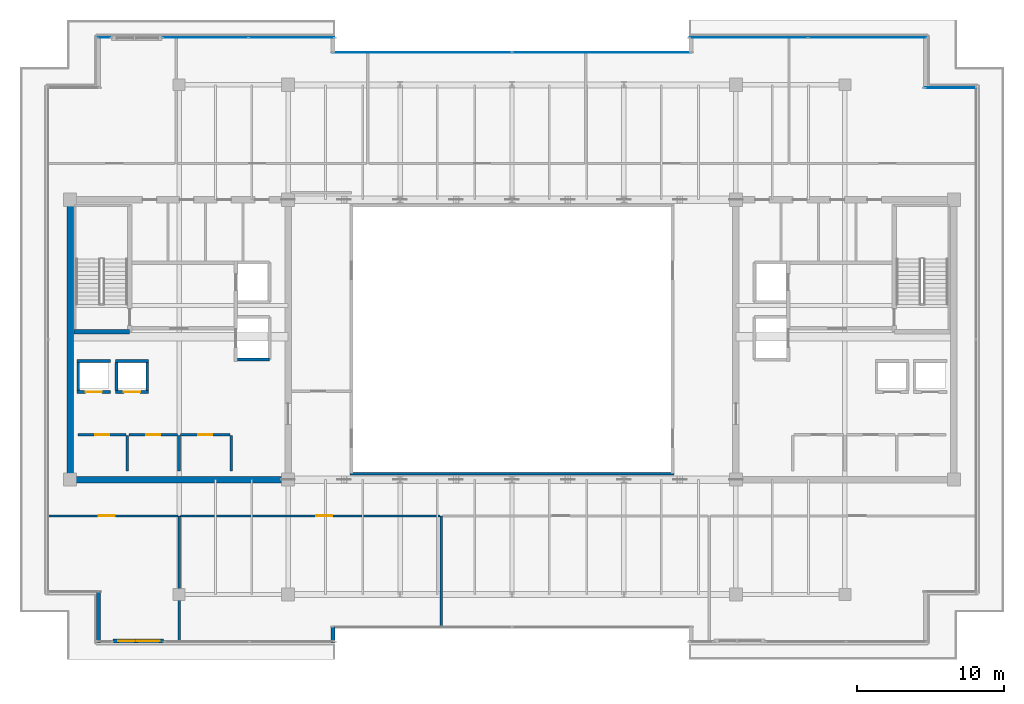
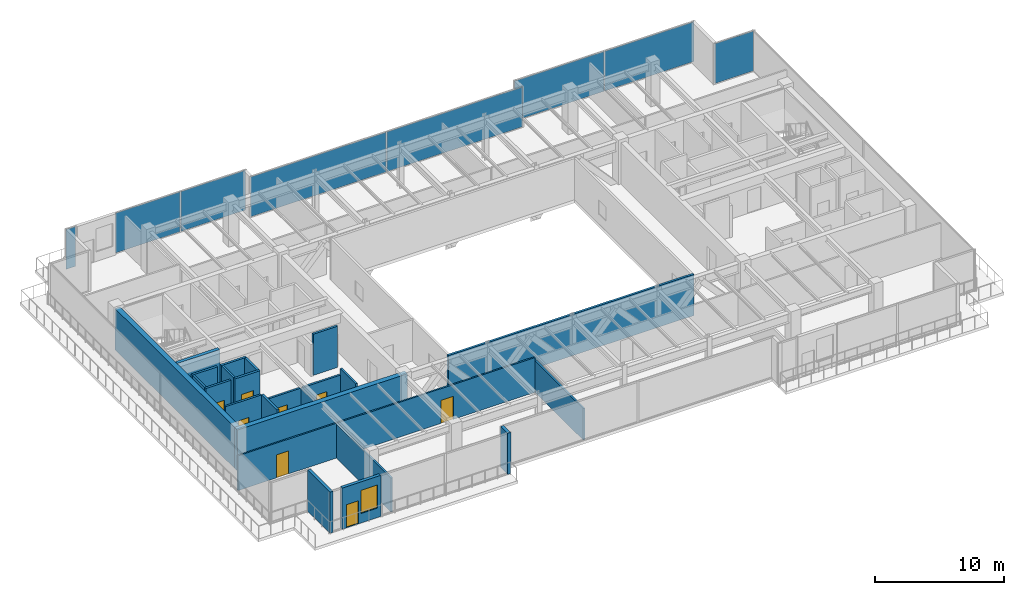
# One storey, part 26 of 34: 25 walls, 8 doors, 8 plates, 1 window, 9 openings, 5 elements without a shape of their own.
"""IFC4 building model written with IfcOpenShell, lengths in metres."""

from ifc_helpers import new_model, si_unit, direction, frame, frame_2d, origin, origin_2d, place, context, subcontext, project, spatial, rectangle, extrude, source, transform, mapped, material, layer, layer_set, type_object, type_shapes, element, fill, aggregate, save


model = new_model("IFC4")

# Units and contexts
model_context = context("Model", 3, precision=1e-05, world=origin(), true_north=direction((0.0, 1.0)))
body_context = subcontext(model_context, "Body", "Model", "MODEL_VIEW")
ifc_project = project(units=[si_unit("LENGTHUNIT", "METRE"), si_unit("AREAUNIT", "SQUARE_METRE"), si_unit("VOLUMEUNIT", "CUBIC_METRE"), si_unit("PLANEANGLEUNIT", "RADIAN"), si_unit("MASSUNIT", "GRAM", prefix="KILO")], contexts=[model_context])

# Site, building, storey
site_placement = place(None, origin())
site = spatial("IfcSite", under=ifc_project, at=site_placement, CompositionType="ELEMENT")
building_placement = place(site_placement, origin())
building = spatial("IfcBuilding", under=site, at=building_placement, Name="Haelvirn Gate Laboratories", CompositionType="ELEMENT")
storey_placement = place(building_placement, frame((0.0, 0.0, 297.60009765625)))
storey = spatial("IfcBuildingStorey", under=building, at=storey_placement, Name="L71", CompositionType="ELEMENT", Elevation=297.60009765625)

# Curtain wall, plates
ifc_material_1 = material(Name="Anodised bronze unitised aluminium & triple low-E glass", Category="aluminium")
ifc_layer_1 = layer(ifc_material_1, 0.176025390625, Name="CW-SYS-4")
ifc_layer_set_1 = layer_set([ifc_layer_1], Name="Anodised bronze unitised aluminium & triple low-E glass")
curtain_wall_type_1 = type_object("IfcCurtainWallType", Name="CW-SYS-4", PredefinedType="NOTDEFINED", material=ifc_layer_set_1)
curtain_wall_1_placement = place(storey_placement, origin())
curtain_wall_1 = element("IfcCurtainWall", 1, at=curtain_wall_1_placement, inside=storey, type_object=curtain_wall_type_1, Name="L71 Unitised Curtain Wall CW-L71-P0-E12-1", PredefinedType="NOTDEFINED")
ifc_material_2 = material(Name="Acoustic laminated bronze triple IGU 36 mm", Category="glass")
ifc_layer_2 = layer(ifc_material_2, 0.035888671875, Name="CWP-IGU-36")
ifc_layer_set_2 = layer_set([ifc_layer_2], Name="Acoustic laminated bronze triple IGU 36 mm")
plate_type_1 = type_object("IfcPlateType", Name="CWP-IGU-36", PredefinedType="CURTAIN_PANEL", material=ifc_layer_set_2)
shared_shape_1 = source(origin(), body_context, "Body", "SweptSolid", [
    extrude(rectangle(XDim=12.135009765625, YDim=0.035888671875, at=origin_2d()), origin(), (0.0, 0.0, 1.0), 3.77001953125),
])
plate_1_placement = place(storey_placement, frame((31.297607421875, 43.800048828125, 0.06494140625), z_axis=(0.0, 0.0, 1.0), x_axis=(1.0, 0.0, 0.0)))
plate_1 = element("IfcPlate", 2, at=plate_1_placement, type_object=plate_type_1, Name="CW4 panel 1.1", PredefinedType="CURTAIN_PANEL", context=body_context, shape_type="MappedRepresentation", body=[
    mapped(shared_shape_1, transform((0.0, 0.0, 0.0), scale=1.0)),
])
plate_2_placement = place(storey_placement, frame((43.50244140625, 43.800048828125, 0.06494140625), z_axis=(0.0, 0.0, 1.0), x_axis=(1.0, 0.0, 0.0)))
plate_2 = element("IfcPlate", 3, at=plate_2_placement, type_object=plate_type_1, Name="CW4 panel 2.1", PredefinedType="CURTAIN_PANEL", context=body_context, shape_type="MappedRepresentation", body=[
    mapped(shared_shape_1, transform((0.0, 0.0, 0.0), scale=1.0)),
])
aggregate(curtain_wall_1, [plate_1, plate_2])

# Curtain wall, plate
ifc_layer_3 = layer(ifc_material_1, 0.181884765625, Name="CW-SYS-5")
ifc_layer_set_3 = layer_set([ifc_layer_3], Name="Anodised bronze unitised aluminium & triple low-E glass")
curtain_wall_type_2 = type_object("IfcCurtainWallType", Name="CW-SYS-5", PredefinedType="NOTDEFINED", material=ifc_layer_set_3)
curtain_wall_2_placement = place(storey_placement, origin())
curtain_wall_2 = element("IfcCurtainWall", 4, at=curtain_wall_2_placement, inside=storey, type_object=curtain_wall_type_2, Name="L71 Unitised Curtain Wall CW-L71-P0-E08-1", PredefinedType="NOTDEFINED")
ifc_material_3 = material(Name="Clear low-iron notched-corner triple IGU 42 mm", Category="glass")
ifc_layer_4 = layer(ifc_material_3, 0.0419921875, Name="CWP-NTC-42")
ifc_layer_set_4 = layer_set([ifc_layer_4], Name="Clear low-iron notched-corner triple IGU 42 mm")
plate_type_2 = type_object("IfcPlateType", Name="CWP-NTC-42", PredefinedType="CURTAIN_PANEL", material=ifc_layer_set_4)
shared_shape_2 = source(origin(), body_context, "Body", "SweptSolid", [
    extrude(rectangle(XDim=3.47998046875, YDim=0.0419921875, at=origin_2d()), origin(), (0.0, 0.0, 1.0), 3.77001953125),
])
type_shapes(plate_type_2, [shared_shape_2])
plate_3_placement = place(storey_placement, frame((67.179931640625, 41.39990234375, 0.06494140625), z_axis=(0.0, 0.0, 1.0), x_axis=(1.0, 0.0, 0.0)))
plate_3 = element("IfcPlate", 5, at=plate_3_placement, type_object=plate_type_2, Name="CW5 panel 1.1", PredefinedType="CURTAIN_PANEL", context=body_context, shape_type="MappedRepresentation", body=[
    mapped(shared_shape_2, transform((0.0, 0.0, 0.0), scale=1.0)),
])
aggregate(curtain_wall_2, [plate_3])

# Curtain wall, plates
curtain_wall_3_placement = place(storey_placement, origin())
curtain_wall_3 = element("IfcCurtainWall", 6, at=curtain_wall_3_placement, inside=storey, type_object=curtain_wall_type_1, Name="L71 Unitised Curtain Wall CW-L71-P0-E10-1", PredefinedType="NOTDEFINED")
shared_shape_3 = source(origin(), body_context, "Body", "SweptSolid", [
    extrude(rectangle(XDim=7.9951171875, YDim=0.035888671875, at=origin_2d()), origin(), (0.0, 0.0, 1.0), 3.77001953125),
])
plate_4_placement = place(storey_placement, frame((53.467529296875, 44.800048828125, 0.06494140625), z_axis=(0.0, 0.0, 1.0), x_axis=(1.0, 0.0, 0.0)))
plate_4 = element("IfcPlate", 7, at=plate_4_placement, type_object=plate_type_1, Name="CW4 panel 1.1", PredefinedType="CURTAIN_PANEL", context=body_context, shape_type="MappedRepresentation", body=[
    mapped(shared_shape_3, transform((0.0, 0.0, 0.0), scale=1.0)),
])
plate_5_placement = place(storey_placement, frame((61.532470703125, 44.800048828125, 0.06494140625), z_axis=(0.0, 0.0, 1.0), x_axis=(1.0, 0.0, 0.0)))
plate_5 = element("IfcPlate", 8, at=plate_5_placement, type_object=plate_type_1, Name="CW4 panel 2.1", PredefinedType="CURTAIN_PANEL", context=body_context, shape_type="MappedRepresentation", body=[
    mapped(shared_shape_3, transform((0.0, 0.0, 0.0), scale=1.0)),
])
aggregate(curtain_wall_3, [plate_4, plate_5])

# Curtain wall, plate
curtain_wall_4_placement = place(storey_placement, origin())
curtain_wall_4 = element("IfcCurtainWall", 9, at=curtain_wall_4_placement, inside=storey, type_object=curtain_wall_type_1, Name="L71 Unitised Curtain Wall CW-L71-P0-E14-1", PredefinedType="NOTDEFINED")
shared_shape_4 = source(origin(), body_context, "Body", "SweptSolid", [
    extrude(rectangle(XDim=0.864990234375, YDim=0.035888671875, at=origin_2d()), origin(), (0.0, 0.0, 1.0), 3.77001953125),
])
plate_6_placement = place(storey_placement, frame((9.702392578125, 44.800048828125, 0.06494140625), z_axis=(0.0, 0.0, 1.0), x_axis=(1.0, 0.0, 0.0)))
plate_6 = element("IfcPlate", 10, at=plate_6_placement, type_object=plate_type_1, Name="CW4 panel 1.1", PredefinedType="CURTAIN_PANEL", context=body_context, shape_type="MappedRepresentation", body=[
    mapped(shared_shape_4, transform((0.0, 0.0, 0.0), scale=1.0)),
])
aggregate(curtain_wall_4, [plate_6])

# Curtain wall, plates
curtain_wall_5_placement = place(storey_placement, origin())
curtain_wall_5 = element("IfcCurtainWall", 11, at=curtain_wall_5_placement, inside=storey, type_object=curtain_wall_type_1, Name="L71 Unitised Curtain Wall CW-L71-P0-E14-2", PredefinedType="NOTDEFINED")
shared_shape_5 = source(origin(), body_context, "Body", "SweptSolid", [
    extrude(rectangle(XDim=5.7724609375, YDim=0.035888671875, at=origin_2d()), origin(), (0.0, 0.0, 1.0), 3.77001953125),
])
type_shapes(plate_type_1, [shared_shape_1, shared_shape_3, shared_shape_4, shared_shape_5])
plate_7_placement = place(storey_placement, frame((16.601318359375, 44.800048828125, 0.06494140625), z_axis=(0.0, 0.0, 1.0), x_axis=(1.0, 0.0, 0.0)))
plate_7 = element("IfcPlate", 12, at=plate_7_placement, type_object=plate_type_1, Name="CW4 panel 1.1", PredefinedType="CURTAIN_PANEL", context=body_context, shape_type="MappedRepresentation", body=[
    mapped(shared_shape_5, transform((0.0, 0.0, 0.0), scale=1.0)),
])
plate_8_placement = place(storey_placement, frame((22.44384765625, 44.800048828125, 0.06494140625), z_axis=(0.0, 0.0, 1.0), x_axis=(1.0, 0.0, 0.0)))
plate_8 = element("IfcPlate", 13, at=plate_8_placement, type_object=plate_type_1, Name="CW4 panel 2.1", PredefinedType="CURTAIN_PANEL", context=body_context, shape_type="MappedRepresentation", body=[
    mapped(shared_shape_5, transform((0.0, 0.0, 0.0), scale=1.0)),
])
aggregate(curtain_wall_5, [plate_7, plate_8])

# Wall, openings, door, window
ifc_material_4 = material(Name="Thermally-broken bronze aluminium rainscreen & mineral wool", Category="aluminium")
ifc_layer_5 = layer(ifc_material_4, 0.280029296875, Name="EW-TERR-280")
ifc_layer_set_5 = layer_set([ifc_layer_5], Name="Thermally-broken bronze aluminium rainscreen & mineral wool")
wall_type_1 = type_object("IfcWallType", Name="EW-TERR-280", PredefinedType="STANDARD", material=ifc_layer_set_5)
wall_1_placement = place(storey_placement, frame((10.297119140625, 3.840087890625, 0.0), z_axis=(0.0, 0.0, 1.0), x_axis=(1.0, 0.0, 0.0)))
wall_1 = element("IfcWall", 14, at=wall_1_placement, inside=storey, type_object=wall_type_1, Name="L71 Terrace Access Wall SETB-S", PredefinedType="STANDARD", context=body_context, shape_type="SweptSolid", body=[
    extrude(rectangle(XDim=3.455810546875, YDim=0.280029296875, at=frame_2d((1.72802734375, 0.0))), origin(), (0.0, 0.0, 1.0), 3.89990234375),
])
opening_1_placement = place(wall_1_placement, frame((0.3779296875, 0.0, 0.0)))
opening_1 = element("IfcOpeningElement", 15, at=opening_1_placement, cuts=wall_1, Name="Opening TD1", PredefinedType="OPENING", context=body_context, shape_type="SweptSolid", body=[
    extrude(rectangle(XDim=1.10009765625, YDim=2.199951171875, at=frame_2d((0.550048828125, 1.10009765625))), frame((0.0, 0.14990234375, 0.0), z_axis=(0.0, -1.0, 0.0), x_axis=(1.0, 0.0, 0.0)), (0.0, 0.0, 1.0), 0.300048828125),
])
opening_2_placement = place(wall_1_placement, frame((1.677978515625, 0.0, 0.89990234375)))
opening_2 = element("IfcOpeningElement", 16, at=opening_2_placement, cuts=wall_1, Name="Opening W3", PredefinedType="OPENING", context=body_context, shape_type="SweptSolid", body=[
    extrude(rectangle(XDim=1.5, YDim=2.199951171875, at=frame_2d((0.75, 1.10009765625))), frame((0.0, 0.14990234375, 0.0), z_axis=(0.0, -1.0, 0.0), x_axis=(1.0, 0.0, 0.0)), (0.0, 0.0, 1.0), 0.300048828125),
])
ifc_material_5 = material(Name="Thermally-broken bronze aluminium glazed terrace door", Category="aluminium")
door_type_1 = type_object("IfcDoorType", Name="DR-TERR-1100", OperationType="NOTDEFINED", PredefinedType="DOOR", material=ifc_material_5)
shared_shape_6 = source(origin(), body_context, "Body", "SweptSolid", [
    extrude(rectangle(XDim=1.10009765625, YDim=2.199951171875, at=frame_2d((0.550048828125, 1.10009765625))), frame((0.0, 0.02490234375, 0.0), z_axis=(0.0, -1.0, 0.0), x_axis=(1.0, 0.0, 0.0)), (0.0, 0.0, 1.0), 0.050048828125),
])
type_shapes(door_type_1, [shared_shape_6])
door_1_placement = place(opening_1_placement, origin())
door_1 = element("IfcDoor", 17, at=door_1_placement, inside=storey, type_object=door_type_1, Name="L71 Terrace Access Door SETB-S", OperationType="SINGLE_SWING_LEFT", OverallHeight=2.199951171875, OverallWidth=1.10009765625, PredefinedType="DOOR", context=body_context, shape_type="MappedRepresentation", body=[
    mapped(shared_shape_6, transform((0.0, 0.0, 0.0), scale=1.0)),
])
fill(opening_1, door_1)
ifc_material_6 = material(Name="Bronze anodised aluminium & triple low-E glass", Category="aluminium")
window_type = type_object("IfcWindowType", Name="WIN-TERR-1600", PartitioningType="SINGLE_PANEL", PredefinedType="WINDOW", material=ifc_material_6)
shared_shape_7 = source(origin(), body_context, "Body", "SweptSolid", [
    extrude(rectangle(XDim=1.5, YDim=2.199951171875, at=frame_2d((0.75, 1.10009765625))), frame((0.0, 0.030029296875, 0.0), z_axis=(0.0, -1.0, 0.0), x_axis=(1.0, 0.0, 0.0)), (0.0, 0.0, 1.0), 0.06005859375),
])
type_shapes(window_type, [shared_shape_7])
window_placement = place(opening_2_placement, origin())
window = element("IfcWindow", 18, at=window_placement, inside=storey, type_object=window_type, Name="L71 Terrace Vision Window SETB-S", OverallHeight=2.199951171875, OverallWidth=1.5, PartitioningType="SINGLE_PANEL", PredefinedType="WINDOW", context=body_context, shape_type="MappedRepresentation", body=[
    mapped(shared_shape_7, transform((0.0, 0.0, 0.0), scale=1.0)),
])
fill(opening_2, window)

# Walls
wall_2_placement = place(storey_placement, frame((25.260009765625, 3.699951171875, 0.0), z_axis=(0.0, 0.0, 1.0), x_axis=(0.0, 1.0, 0.0)))
element("IfcWall", 19, at=wall_2_placement, inside=storey, type_object=wall_type_1, Name="L71 Atrium Recess Bronze Return Wall 01", PredefinedType="STANDARD", context=body_context, shape_type="SweptSolid", body=[
    extrude(rectangle(XDim=1.093017578125, YDim=0.280029296875, at=frame_2d((0.54638671875, 0.0))), origin(), (0.0, 0.0, 1.0), 3.89990234375),
])
wall_3_placement = place(storey_placement, frame((9.340087890625, 7.18798828125, 0.0), z_axis=(0.0, 0.0, 1.0), x_axis=(0.0, -1.0, 0.0)))
element("IfcWall", 20, at=wall_3_placement, inside=storey, type_object=wall_type_1, Name="L71 Atrium Recess Bronze Return Wall 19", PredefinedType="STANDARD", context=body_context, shape_type="SweptSolid", body=[
    extrude(rectangle(XDim=3.488037109375, YDim=0.280029296875, at=frame_2d((1.744140625, 0.0))), origin(), (0.0, 0.0, 1.0), 3.89990234375),
])
ifc_material_7 = material(Name="Double-layer acoustic gypsum laboratory partition", Category="gypsum")
ifc_layer_6 = layer(ifc_material_7, 0.159912109375, Name="IW-ACOUST-160")
ifc_layer_set_6 = layer_set([ifc_layer_6], Name="Double-layer acoustic gypsum laboratory partition")
wall_type_2 = type_object("IfcWallType", Name="IW-ACOUST-160", PredefinedType="PARTITIONING", material=ifc_layer_set_6)
wall_4_placement = place(storey_placement, frame((14.800048828125, 3.81005859375, 0.0), z_axis=(0.0, 0.0, 1.0), x_axis=(0.0, 1.0, 0.0)))
element("IfcWall", 21, at=wall_4_placement, inside=storey, type_object=wall_type_2, Name="L71 Interior Wall IW-L71-SDIV-01", PredefinedType="PARTITIONING", context=body_context, shape_type="SweptSolid", body=[
    extrude(rectangle(XDim=8.530029296875, YDim=0.159912109375, at=frame_2d((4.26513671875, 0.0))), origin(), (0.0, 0.0, 1.0), 3.23486328125),
])
wall_5_placement = place(storey_placement, frame((32.60009765625, 4.81005859375, 0.0), z_axis=(0.0, 0.0, 1.0), x_axis=(0.0, 1.0, 0.0)))
element("IfcWall", 22, at=wall_5_placement, inside=storey, type_object=wall_type_2, Name="L71 Interior Wall IW-L71-SDIV-02", PredefinedType="PARTITIONING", context=body_context, shape_type="SweptSolid", body=[
    extrude(rectangle(XDim=7.530029296875, YDim=0.159912109375, at=frame_2d((3.76513671875, 0.0))), origin(), (0.0, 0.0, 1.0), 2.98486328125),
])
ifc_material_8 = material(Name="Tempered fire-rated borosilicate glass & anodised aluminium", Category="aluminium")
ifc_layer_7 = layer(ifc_material_8, 0.195068359375, Name="IW-GLAZ-200")
ifc_layer_set_7 = layer_set([ifc_layer_7], Name="Tempered fire-rated borosilicate glass & anodised aluminium")
wall_type_3 = type_object("IfcWallType", Name="IW-GLAZ-200", PredefinedType="SOLIDWALL", material=ifc_layer_set_7)
wall_6_placement = place(storey_placement, frame((26.39990234375, 15.199951171875, 0.0), z_axis=(0.0, 0.0, 1.0), x_axis=(1.0, 0.0, 0.0)))
element("IfcWall", 23, at=wall_6_placement, inside=storey, type_object=wall_type_3, Name="L71 Interior Wall IW-L71-ATRIUM-S", PredefinedType="SOLIDWALL", context=body_context, shape_type="SweptSolid", body=[
    extrude(rectangle(XDim=22.0, YDim=0.195068359375, at=frame_2d((11.0, 0.0))), origin(), (0.0, 0.0, 1.0), 3.89990234375),
])

# Wall, opening, door
ifc_material_9 = material(Name="Acoustic mineral-wool gypsum board partition", Category="gypsum")
ifc_layer_8 = layer(ifc_material_9, 0.139892578125, Name="IW-PART-140")
ifc_layer_set_8 = layer_set([ifc_layer_8], Name="Acoustic mineral-wool gypsum board partition")
wall_type_4 = type_object("IfcWallType", Name="IW-PART-140", PredefinedType="PARTITIONING", material=ifc_layer_set_8)
wall_7_placement = place(storey_placement, frame((5.909912109375, 12.340087890625, 0.0), z_axis=(0.0, 0.0, 1.0), x_axis=(1.0, 0.0, 0.0)))
wall_7 = element("IfcWall", 24, at=wall_7_placement, inside=storey, type_object=wall_type_4, Name="L71 Interior Wall IW-L71-SCORR-01", PredefinedType="PARTITIONING", context=body_context, shape_type="SweptSolid", body=[
    extrude(rectangle(XDim=8.81005859375, YDim=0.139892578125, at=frame_2d((4.405029296875, 0.0))), origin(), (0.0, 0.0, 1.0), 3.296875),
])
opening_3_placement = place(wall_7_placement, frame((3.434326171875, 0.0, 0.0)))
opening_3 = element("IfcOpeningElement", 25, at=opening_3_placement, cuts=wall_7, Name="Opening D1", PredefinedType="OPENING", context=body_context, shape_type="SweptSolid", body=[
    extrude(rectangle(XDim=1.10009765625, YDim=2.179931640625, at=frame_2d((0.550048828125, 1.08984375))), frame((0.0, 0.080078125, 0.0), z_axis=(0.0, -1.0, 0.0), x_axis=(1.0, 0.0, 0.0)), (0.0, 0.0, 1.0), 0.159912109375),
])
ifc_material_10 = material(Name="Vision-panel acoustic solid-core timber lab door", Category="wood")
door_type_2 = type_object("IfcDoorType", Name="DR-LAB-1100", OperationType="NOTDEFINED", PredefinedType="DOOR", material=ifc_material_10)
shared_shape_8 = source(origin(), body_context, "Body", "SweptSolid", [
    extrude(rectangle(XDim=1.10009765625, YDim=2.179931640625, at=frame_2d((0.550048828125, 1.08984375))), frame((0.0, 0.02490234375, 0.0), z_axis=(0.0, -1.0, 0.0), x_axis=(1.0, 0.0, 0.0)), (0.0, 0.0, 1.0), 0.050048828125),
])
type_shapes(door_type_2, [shared_shape_8])
door_2_placement = place(opening_3_placement, origin())
door_2 = element("IfcDoor", 26, at=door_2_placement, inside=storey, type_object=door_type_2, Name="L71 Translational Data Office Door S1", OperationType="SINGLE_SWING_RIGHT", OverallHeight=2.179931640625, OverallWidth=1.10009765625, PredefinedType="DOOR", context=body_context, shape_type="MappedRepresentation", body=[
    mapped(shared_shape_8, transform((0.0, 0.0, 0.0), scale=1.0)),
])
fill(opening_3, door_2)

wall_8_placement = place(storey_placement, frame((14.8798828125, 12.340087890625, 0.0), z_axis=(0.0, 0.0, 1.0), x_axis=(1.0, 0.0, 0.0)))
wall_8 = element("IfcWall", 27, at=wall_8_placement, inside=storey, type_object=wall_type_4, Name="L71 Interior Wall IW-L71-SCORR-02", PredefinedType="PARTITIONING", context=body_context, shape_type="SweptSolid", body=[
    extrude(rectangle(XDim=17.64013671875, YDim=0.139892578125, at=frame_2d((8.820068359375, 0.0))), origin(), (0.0, 0.0, 1.0), 3.296875),
])
opening_4_placement = place(wall_8_placement, frame((9.220458984375, 0.0, 0.0)))
opening_4 = element("IfcOpeningElement", 28, at=opening_4_placement, cuts=wall_8, Name="Opening D1", PredefinedType="OPENING", context=body_context, shape_type="SweptSolid", body=[
    extrude(rectangle(XDim=1.10009765625, YDim=2.179931640625, at=frame_2d((0.550048828125, 1.08984375))), frame((0.0, 0.080078125, 0.0), z_axis=(0.0, -1.0, 0.0), x_axis=(1.0, 0.0, 0.0)), (0.0, 0.0, 1.0), 0.159912109375),
])
door_3_placement = place(opening_4_placement, origin())
door_3 = element("IfcDoor", 29, at=door_3_placement, inside=storey, type_object=door_type_2, Name="L71 Computational Write-Up Office Door S2", OperationType="SINGLE_SWING_LEFT", OverallHeight=2.179931640625, OverallWidth=1.10009765625, PredefinedType="DOOR", context=body_context, shape_type="MappedRepresentation", body=[
    mapped(shared_shape_8, transform((0.0, 0.0, 0.0), scale=1.0)),
])
fill(opening_4, door_3)

# Walls
ifc_material_11 = material(Name="Concrete C40/50", Category="concrete")
ifc_layer_9 = layer(ifc_material_11, 0.179931640625, Name="IW-SHAFT-180")
ifc_layer_set_9 = layer_set([ifc_layer_9], Name="Concrete C40/50")
wall_type_5 = type_object("IfcWallType", Name="IW-SHAFT-180", PredefinedType="SOLIDWALL", material=ifc_layer_set_9)
for number, where, z_axis, x_axis, name in (
    (30, (7.949951171875, 20.85009765625, 0.0), (0.0, 0.0, 1.0), (0.0, 1.0, 0.0), "L71 Interior Wall IW-L71-PL9-SD"),
    (31, (10.550048828125, 20.85009765625, 0.0), (0.0, 0.0, 1.0), (0.0, 1.0, 0.0), "L71 Interior Wall IW-L71-PL10-SD"),
    (32, (12.64990234375, 20.85009765625, 0.0), (0.0, 0.0, 1.0), (0.0, 1.0, 0.0), "L71 Interior Wall IW-L71-PL10-SDE"),
):
    element("IfcWall", number, at=place(storey_placement, frame(where, z_axis=z_axis, x_axis=x_axis)), inside=storey, type_object=wall_type_5, Name=name, PredefinedType="SOLIDWALL", context=body_context, shape_type="SweptSolid", body=[
        extrude(rectangle(XDim=1.89990234375, YDim=0.179931640625, at=frame_2d((0.949951171875, 0.0))), origin(), (0.0, 0.0, 1.0), 3.89990234375),
    ])

# Wall, opening, door
wall_9_placement = place(storey_placement, frame((7.949951171875, 17.85009765625, 0.0), z_axis=(0.0, 0.0, 1.0), x_axis=(1.0, 0.0, 0.0)))
wall_9 = element("IfcWall", 33, at=wall_9_placement, inside=storey, type_object=wall_type_5, Name="L71 Interior Wall IW-L71-W-FREED-HN-1", PredefinedType="SOLIDWALL", context=body_context, shape_type="SweptSolid", body=[
    extrude(rectangle(XDim=3.25, YDim=0.179931640625, at=frame_2d((1.625, 0.0))), origin(), (0.0, 0.0, 1.0), 3.89990234375),
])
opening_5_placement = place(wall_9_placement, frame((1.14990234375, 0.0, 0.0)))
opening_5 = element("IfcOpeningElement", 34, at=opening_5_placement, cuts=wall_9, Name="Opening FD4", PredefinedType="OPENING", context=body_context, shape_type="SweptSolid", body=[
    extrude(rectangle(XDim=0.949951171875, YDim=2.14990234375, at=frame_2d((0.47509765625, 1.074951171875))), frame((0.0, 0.10009765625, 0.0), z_axis=(0.0, -1.0, 0.0), x_axis=(1.0, 0.0, 0.0)), (0.0, 0.0, 1.0), 0.199951171875),
])
ifc_material_12 = material(Name="Fire-rated steel SM355 core service door", Category="steel")
door_type_3 = type_object("IfcDoorType", Name="DR-FD-950", OperationType="NOTDEFINED", PredefinedType="DOOR", material=ifc_material_12)
shared_shape_9 = source(origin(), body_context, "Body", "SweptSolid", [
    extrude(rectangle(XDim=0.949951171875, YDim=2.14990234375, at=frame_2d((0.47509765625, 1.074951171875))), frame((0.0, 0.02490234375, 0.0), z_axis=(0.0, -1.0, 0.0), x_axis=(1.0, 0.0, 0.0)), (0.0, 0.0, 1.0), 0.050048828125),
])
type_shapes(door_type_3, [shared_shape_9])
door_4_placement = place(opening_5_placement, origin())
door_4 = element("IfcDoor", 35, at=door_4_placement, inside=storey, type_object=door_type_3, Name="L71 Autoclave Bio-Prep Room Door", OperationType="SINGLE_SWING_LEFT", OverallHeight=2.14990234375, OverallWidth=0.949951171875, PredefinedType="DOOR", context=body_context, shape_type="MappedRepresentation", body=[
    mapped(shared_shape_9, transform((0.0, 0.0, 0.0), scale=1.0)),
])
fill(opening_5, door_4)

# Wall
wall_10_placement = place(storey_placement, frame((11.2900390625, 15.39990234375, 0.0), z_axis=(0.0, 0.0, 1.0), x_axis=(0.0, 1.0, 0.0)))
element("IfcWall", 36, at=wall_10_placement, inside=storey, type_object=wall_type_5, Name="L71 Interior Wall IW-L71-W-FREED-HE-1", PredefinedType="SOLIDWALL", context=body_context, shape_type="SweptSolid", body=[
    extrude(rectangle(XDim=2.400146484375, YDim=0.179931640625, at=frame_2d((1.2001953125, 0.0))), origin(), (0.0, 0.0, 1.0), 3.89990234375),
])

# Wall, opening, door
wall_11_placement = place(storey_placement, frame((11.39990234375, 17.85009765625, 0.0), z_axis=(0.0, 0.0, 1.0), x_axis=(1.0, 0.0, 0.0)))
wall_11 = element("IfcWall", 37, at=wall_11_placement, inside=storey, type_object=wall_type_5, Name="L71 Interior Wall IW-L71-W-FREED-HN-2", PredefinedType="SOLIDWALL", context=body_context, shape_type="SweptSolid", body=[
    extrude(rectangle(XDim=3.300048828125, YDim=0.179931640625, at=frame_2d((1.64990234375, 0.0))), origin(), (0.0, 0.0, 1.0), 3.296875),
])
opening_6_placement = place(wall_11_placement, frame((1.175048828125, 0.0, 0.0)))
opening_6 = element("IfcOpeningElement", 38, at=opening_6_placement, cuts=wall_11, Name="Opening FD4", PredefinedType="OPENING", context=body_context, shape_type="SweptSolid", body=[
    extrude(rectangle(XDim=0.949951171875, YDim=2.14990234375, at=frame_2d((0.47509765625, 1.074951171875))), frame((0.0, 0.10009765625, 0.0), z_axis=(0.0, -1.0, 0.0), x_axis=(1.0, 0.0, 0.0)), (0.0, 0.0, 1.0), 0.199951171875),
])
door_5_placement = place(opening_6_placement, origin())
door_5 = element("IfcDoor", 39, at=door_5_placement, inside=storey, type_object=door_type_3, Name="L71 Telemetry Analytics Room Door", OperationType="SINGLE_SWING_RIGHT", OverallHeight=2.14990234375, OverallWidth=0.949951171875, PredefinedType="DOOR", context=body_context, shape_type="MappedRepresentation", body=[
    mapped(shared_shape_9, transform((0.0, 0.0, 0.0), scale=1.0)),
])
fill(opening_6, door_5)

# Wall
wall_12_placement = place(storey_placement, frame((14.7900390625, 15.39990234375, 0.0), z_axis=(0.0, 0.0, 1.0), x_axis=(0.0, 1.0, 0.0)))
element("IfcWall", 40, at=wall_12_placement, inside=storey, type_object=wall_type_5, Name="L71 Interior Wall IW-L71-W-FREED-HE-2", PredefinedType="SOLIDWALL", context=body_context, shape_type="SweptSolid", body=[
    extrude(rectangle(XDim=2.400146484375, YDim=0.179931640625, at=frame_2d((1.2001953125, 0.0))), origin(), (0.0, 0.0, 1.0), 3.296875),
])

# Wall, opening, door
wall_13_placement = place(storey_placement, frame((14.89990234375, 17.85009765625, 0.0), z_axis=(0.0, 0.0, 1.0), x_axis=(1.0, 0.0, 0.0)))
wall_13 = element("IfcWall", 41, at=wall_13_placement, inside=storey, type_object=wall_type_5, Name="L71 Interior Wall IW-L71-W-FREED-HN-3", PredefinedType="SOLIDWALL", context=body_context, shape_type="SweptSolid", body=[
    extrude(rectangle(XDim=3.35009765625, YDim=0.179931640625, at=frame_2d((1.675048828125, 0.0))), origin(), (0.0, 0.0, 1.0), 3.296875),
])
opening_7_placement = place(wall_13_placement, frame((1.199951171875, 0.0, 0.0)))
opening_7 = element("IfcOpeningElement", 42, at=opening_7_placement, cuts=wall_13, Name="Opening FD4", PredefinedType="OPENING", context=body_context, shape_type="SweptSolid", body=[
    extrude(rectangle(XDim=0.949951171875, YDim=2.14990234375, at=frame_2d((0.47509765625, 1.074951171875))), frame((0.0, 0.10009765625, 0.0), z_axis=(0.0, -1.0, 0.0), x_axis=(1.0, 0.0, 0.0)), (0.0, 0.0, 1.0), 0.199951171875),
])
door_6_placement = place(opening_7_placement, origin())
door_6 = element("IfcDoor", 43, at=door_6_placement, inside=storey, type_object=door_type_3, Name="L71 Calibration Metrology Room Door", OperationType="SINGLE_SWING_LEFT", OverallHeight=2.14990234375, OverallWidth=0.949951171875, PredefinedType="DOOR", context=body_context, shape_type="MappedRepresentation", body=[
    mapped(shared_shape_9, transform((0.0, 0.0, 0.0), scale=1.0)),
])
fill(opening_7, door_6)

# Wall
wall_14_placement = place(storey_placement, frame((18.340087890625, 15.39990234375, 0.0), z_axis=(0.0, 0.0, 1.0), x_axis=(0.0, 1.0, 0.0)))
element("IfcWall", 44, at=wall_14_placement, inside=storey, type_object=wall_type_5, Name="L71 Interior Wall IW-L71-W-FREED-HE-3", PredefinedType="SOLIDWALL", context=body_context, shape_type="SweptSolid", body=[
    extrude(rectangle(XDim=2.400146484375, YDim=0.179931640625, at=frame_2d((1.2001953125, 0.0))), origin(), (0.0, 0.0, 1.0), 3.89990234375),
])

# Wall, opening, door
ifc_layer_10 = layer(ifc_material_11, 0.199951171875, Name="IW-SHAFT-200")
ifc_layer_set_10 = layer_set([ifc_layer_10], Name="Concrete C40/50")
wall_type_6 = type_object("IfcWallType", Name="IW-SHAFT-200", PredefinedType="SOLIDWALL", material=ifc_layer_set_10)
wall_15_placement = place(storey_placement, frame((7.8701171875, 20.75, 0.0), z_axis=(0.0, 0.0, 1.0), x_axis=(1.0, 0.0, 0.0)))
wall_15 = element("IfcWall", 45, at=wall_15_placement, inside=storey, type_object=wall_type_6, Name="L71 Interior Wall IW-L71-PL9-FR", PredefinedType="SOLIDWALL", context=body_context, shape_type="SweptSolid", body=[
    extrude(rectangle(XDim=2.259765625, YDim=0.199951171875, at=frame_2d((1.1298828125, 0.0))), origin(), (0.0, 0.0, 1.0), 3.89990234375),
])
opening_8_placement = place(wall_15_placement, frame((0.580078125, 0.0, 0.0)))
opening_8 = element("IfcOpeningElement", 46, at=opening_8_placement, cuts=wall_15, Name="Opening LD2", PredefinedType="OPENING", context=body_context, shape_type="SweptSolid", body=[
    extrude(rectangle(XDim=1.10009765625, YDim=2.219970703125, at=frame_2d((0.550048828125, 1.10986328125))), frame((0.0, 0.10986328125, 0.0), z_axis=(0.0, -1.0, 0.0), x_axis=(1.0, 0.0, 0.0)), (0.0, 0.0, 1.0), 0.219970703125),
])
ifc_material_13 = material(Name="Bronze stainless 316L sliding lift landing door")
door_type_4 = type_object("IfcDoorType", Name="DR-LD-1100", OperationType="NOTDEFINED", PredefinedType="USERDEFINED", material=ifc_material_13)
shared_shape_10 = source(origin(), body_context, "Body", "SweptSolid", [
    extrude(rectangle(XDim=1.10009765625, YDim=2.219970703125, at=frame_2d((0.550048828125, 1.10986328125))), frame((0.0, 0.02490234375, 0.0), z_axis=(0.0, -1.0, 0.0), x_axis=(1.0, 0.0, 0.0)), (0.0, 0.0, 1.0), 0.050048828125),
])
type_shapes(door_type_4, [shared_shape_10])
door_7_placement = place(opening_8_placement, origin())
door_7 = element("IfcDoor", 47, at=door_7_placement, inside=storey, type_object=door_type_4, Name="L71 Passenger Lift PL9 Landing Door", ObjectType="LANDING_DOOR", OperationType="SLIDING_TO_LEFT", OverallHeight=2.219970703125, OverallWidth=1.10009765625, PredefinedType="USERDEFINED", context=body_context, shape_type="MappedRepresentation", body=[
    mapped(shared_shape_10, transform((0.0, 0.0, 0.0), scale=1.0)),
])
fill(opening_8, door_7)

# Wall
wall_16_placement = place(storey_placement, frame((7.8701171875, 22.85009765625, 0.0), z_axis=(0.0, 0.0, 1.0), x_axis=(1.0, 0.0, 0.0)))
element("IfcWall", 48, at=wall_16_placement, inside=storey, type_object=wall_type_6, Name="L71 Interior Wall IW-L71-PL9-BK", PredefinedType="SOLIDWALL", context=body_context, shape_type="SweptSolid", body=[
    extrude(rectangle(XDim=2.259765625, YDim=0.199951171875, at=frame_2d((1.1298828125, 0.0))), origin(), (0.0, 0.0, 1.0), 3.89990234375),
])

# Wall, opening, door
wall_17_placement = place(storey_placement, frame((10.469970703125, 20.75, 0.0), z_axis=(0.0, 0.0, 1.0), x_axis=(1.0, 0.0, 0.0)))
wall_17 = element("IfcWall", 49, at=wall_17_placement, inside=storey, type_object=wall_type_6, Name="L71 Interior Wall IW-L71-PL10-FR", PredefinedType="SOLIDWALL", context=body_context, shape_type="SweptSolid", body=[
    extrude(rectangle(XDim=2.260009765625, YDim=0.199951171875, at=frame_2d((1.1298828125, 0.0))), origin(), (0.0, 0.0, 1.0), 3.89990234375),
])
opening_9_placement = place(wall_17_placement, frame((0.580078125, 0.0, 0.0)))
opening_9 = element("IfcOpeningElement", 50, at=opening_9_placement, cuts=wall_17, Name="Opening LD2", PredefinedType="OPENING", context=body_context, shape_type="SweptSolid", body=[
    extrude(rectangle(XDim=1.10009765625, YDim=2.219970703125, at=frame_2d((0.550048828125, 1.10986328125))), frame((0.0, 0.10986328125, 0.0), z_axis=(0.0, -1.0, 0.0), x_axis=(1.0, 0.0, 0.0)), (0.0, 0.0, 1.0), 0.219970703125),
])
door_8_placement = place(opening_9_placement, origin())
door_8 = element("IfcDoor", 51, at=door_8_placement, inside=storey, type_object=door_type_4, Name="L71 Passenger Lift PL10 Landing Door", ObjectType="LANDING_DOOR", OperationType="SLIDING_TO_RIGHT", OverallHeight=2.219970703125, OverallWidth=1.10009765625, PredefinedType="USERDEFINED", context=body_context, shape_type="MappedRepresentation", body=[
    mapped(shared_shape_10, transform((0.0, 0.0, 0.0), scale=1.0)),
])
fill(opening_9, door_8)

# Walls
wall_18_placement = place(storey_placement, frame((10.469970703125, 22.85009765625, 0.0), z_axis=(0.0, 0.0, 1.0), x_axis=(1.0, 0.0, 0.0)))
element("IfcWall", 52, at=wall_18_placement, inside=storey, type_object=wall_type_6, Name="L71 Interior Wall IW-L71-PL10-BK", PredefinedType="SOLIDWALL", context=body_context, shape_type="SweptSolid", body=[
    extrude(rectangle(XDim=2.260009765625, YDim=0.199951171875, at=frame_2d((1.1298828125, 0.0))), origin(), (0.0, 0.0, 1.0), 3.89990234375),
])
wall_19_placement = place(storey_placement, frame((18.760009765625, 22.949951171875, 0.0), z_axis=(0.0, 0.0, 1.0), x_axis=(1.0, 0.0, 0.0)))
element("IfcWall", 53, at=wall_19_placement, inside=storey, type_object=wall_type_6, Name="L71 Interior Wall IW-L71-SL1-S", PredefinedType="SOLIDWALL", context=body_context, shape_type="SweptSolid", body=[
    extrude(rectangle(XDim=2.18994140625, YDim=0.199951171875, at=frame_2d((1.094970703125, 0.0))), origin(), (0.0, 0.0, 1.0), 3.89990234375),
])
ifc_material_14 = material(Name="Concrete C50/60", Category="concrete")
ifc_layer_11 = layer(ifc_material_14, 0.449951171875, Name="SW-CORE-450")
ifc_layer_set_11 = layer_set([ifc_layer_11], Name="Concrete C50/60")
wall_type_7 = type_object("IfcWallType", Name="SW-CORE-450", PredefinedType="SHEAR", material=ifc_layer_set_11)
wall_20_placement = place(storey_placement, frame((7.175048828125, 14.800048828125, 0.0), z_axis=(0.0, 0.0, 1.0), x_axis=(1.0, 0.0, 0.0)))
element("IfcWall", 54, at=wall_20_placement, inside=storey, type_object=wall_type_7, Name="L71 W Core Shear Wall S", PredefinedType="SHEAR", context=body_context, shape_type="SweptSolid", body=[
    extrude(rectangle(XDim=15.25, YDim=0.449951171875, at=frame_2d((7.625, 0.0))), origin(), (0.0, 0.0, 1.0), 3.89990234375),
])
wall_21_placement = place(storey_placement, frame((7.39990234375, 15.02490234375, 0.0), z_axis=(0.0, 0.0, 1.0), x_axis=(0.0, 1.0, 0.0)))
element("IfcWall", 55, at=wall_21_placement, inside=storey, type_object=wall_type_7, Name="L71 W Core Shear Wall W", PredefinedType="SHEAR", context=body_context, shape_type="SweptSolid", body=[
    extrude(rectangle(XDim=18.550048828125, YDim=0.449951171875, at=frame_2d((9.27490234375, 0.0))), origin(), (0.0, 0.0, 1.0), 3.89990234375),
])
ifc_layer_12 = layer(ifc_material_14, 0.300048828125, Name="SW-STAIR-300")
ifc_layer_set_12 = layer_set([ifc_layer_12], Name="Concrete C50/60")
wall_type_8 = type_object("IfcWallType", Name="SW-STAIR-300", PredefinedType="SHEAR", material=ifc_layer_set_12)
wall_22_placement = place(storey_placement, frame((7.64990234375, 24.85009765625, 0.0), z_axis=(0.0, 0.0, 1.0), x_axis=(1.0, 0.0, 0.0)))
element("IfcWall", 56, at=wall_22_placement, inside=storey, type_object=wall_type_8, Name="L71 W Core Stair Shaft Structural Wall S", PredefinedType="SHEAR", context=body_context, shape_type="SweptSolid", body=[
    extrude(rectangle(XDim=3.800048828125, YDim=0.300048828125, at=frame_2d((1.89990234375, 0.0))), origin(), (0.0, 0.0, 1.0), 3.89990234375),
])

save(model, "model.ifc")
